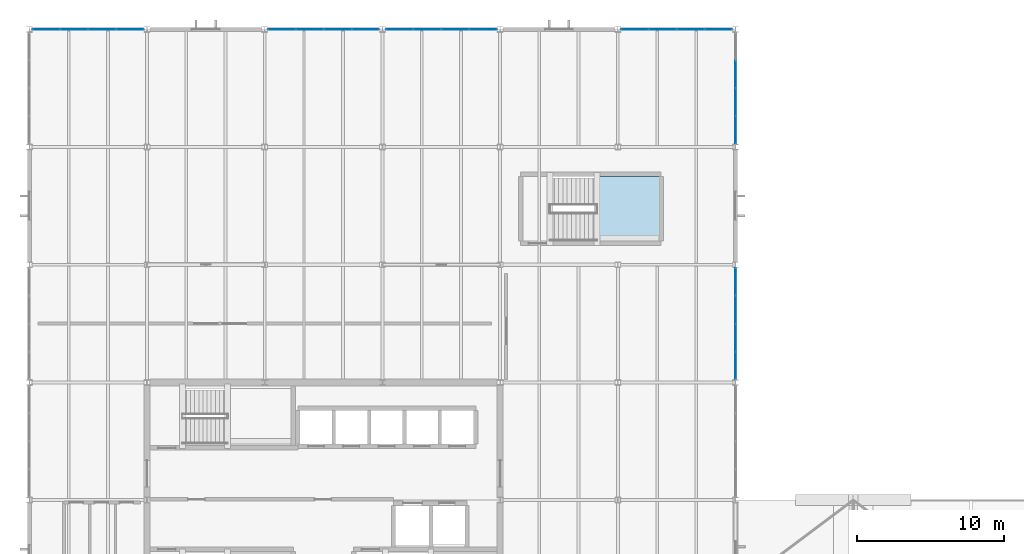
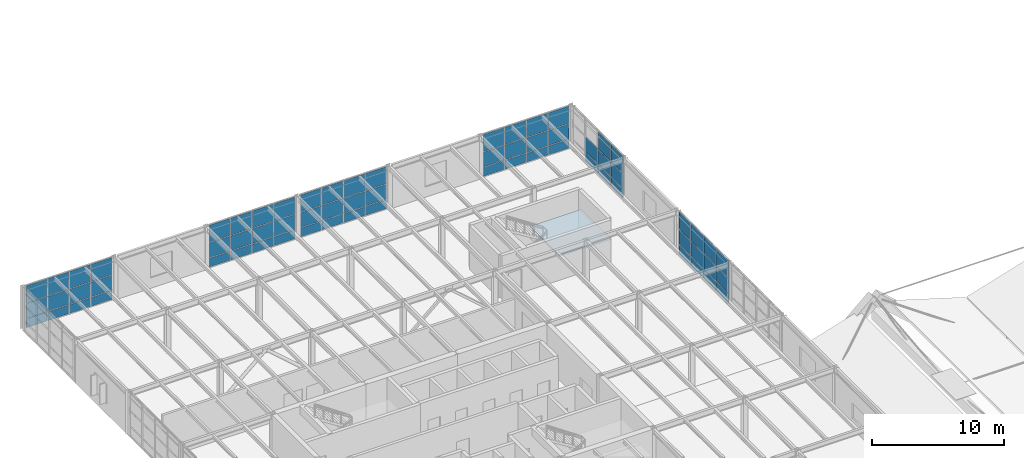
# One storey, part 33 of 50: 68 plates, 1 slab, 7 elements without a shape of their own.
"""IFC4 building model written with IfcOpenShell, lengths in metres."""

from ifc_helpers import new_model, si_unit, direction, frame, origin, origin_2d, place, context, subcontext, project, spatial, polyline, rectangle, outline, extrude, material, layer, layer_set, type_object, element, aggregate, save


model = new_model("IFC4")

# Units and contexts
model_context = context("Model", 3, precision=1e-05, world=origin(), true_north=direction((0.0, 1.0)))
body_context = subcontext(model_context, "Body", "Model", "MODEL_VIEW")
ifc_project = project(units=[si_unit("LENGTHUNIT", "METRE"), si_unit("AREAUNIT", "SQUARE_METRE"), si_unit("VOLUMEUNIT", "CUBIC_METRE"), si_unit("PLANEANGLEUNIT", "RADIAN"), si_unit("MASSUNIT", "GRAM", prefix="KILO")], contexts=[model_context])

# Site, building, storey
site_placement = place(None, origin())
site = spatial("IfcSite", under=ifc_project, at=site_placement, CompositionType="ELEMENT")
building_placement = place(site_placement, origin())
building = spatial("IfcBuilding", under=site, at=building_placement, Name="Varnela Railside Interchange", CompositionType="ELEMENT")
storey_placement = place(building_placement, frame((0.0, 0.0, 15.39990234375)))
storey = spatial("IfcBuildingStorey", under=building, at=storey_placement, Name="L03", CompositionType="ELEMENT", Elevation=15.39990234375)

# Curtain wall, plates
ifc_material_1 = material(Name="Aluminium 6063-T6", Category="aluminium")
ifc_layer_1 = layer(ifc_material_1, 0.035888671875)
ifc_layer_set_1 = layer_set([ifc_layer_1], Name="Aluminium 6063-T6")
curtain_wall_type = type_object("IfcCurtainWallType", Name="Operations Wing Facade Curtain Wall CW-03", PredefinedType="USERDEFINED", material=ifc_layer_set_1)
curtain_wall_1_placement = place(storey_placement, origin())
curtain_wall_1 = element("IfcCurtainWall", 1, at=curtain_wall_1_placement, inside=storey, type_object=curtain_wall_type, Name="Curtain Wall CW-03 (L03) (CW-080)", ObjectType="CURTAIN WALL", PredefinedType="USERDEFINED")
ifc_material_2 = material(Name="Glass laminated double", Category="glass")
ifc_layer_2 = layer(ifc_material_2, 0.0400390625)
ifc_layer_set_2 = layer_set([ifc_layer_2], Name="Glass laminated double")
plate_type = type_object("IfcPlateType", Name="Acoustic Laminated Vision GL-03", PredefinedType="CURTAIN_PANEL", material=ifc_layer_set_2)
plate_1_placement = place(storey_placement, frame((5.15478515625, 94.0, 0.06005859375), z_axis=(0.0, 0.0, 1.0), x_axis=(1.0, 0.0, 0.0)))
plate_1 = element("IfcPlate", 2, at=plate_1_placement, type_object=plate_type, Name="CW-03 panel 1.1", PredefinedType="CURTAIN_PANEL", context=body_context, shape_type="SweptSolid", body=[
    extrude(rectangle(XDim=1.816650390625, YDim=0.0400390625, at=origin_2d()), origin(), (0.0, 0.0, 1.0), 0.81005859375),
])
plate_2_placement = place(storey_placement, frame((5.15478515625, 94.0, 0.93017578125), z_axis=(0.0, 0.0, 1.0), x_axis=(1.0, 0.0, 0.0)))
plate_2 = element("IfcPlate", 3, at=plate_2_placement, type_object=plate_type, Name="CW-03 panel 1.2", PredefinedType="CURTAIN_PANEL", context=body_context, shape_type="SweptSolid", body=[
    extrude(rectangle(XDim=1.816650390625, YDim=0.0400390625, at=origin_2d()), origin(), (0.0, 0.0, 1.0), 1.360107421875),
])
plate_3_placement = place(storey_placement, frame((5.15478515625, 94.0, 2.35009765625), z_axis=(0.0, 0.0, 1.0), x_axis=(1.0, 0.0, 0.0)))
plate_3 = element("IfcPlate", 4, at=plate_3_placement, type_object=plate_type, Name="CW-03 panel 1.3", PredefinedType="CURTAIN_PANEL", context=body_context, shape_type="SweptSolid", body=[
    extrude(rectangle(XDim=1.816650390625, YDim=0.0400390625, at=origin_2d()), origin(), (0.0, 0.0, 1.0), 1.590087890625),
])
plate_4_placement = place(storey_placement, frame((7.046630859375, 94.0, 0.06005859375), z_axis=(0.0, 0.0, 1.0), x_axis=(1.0, 0.0, 0.0)))
plate_4 = element("IfcPlate", 5, at=plate_4_placement, type_object=plate_type, Name="CW-03 panel 2.1", PredefinedType="CURTAIN_PANEL", context=body_context, shape_type="SweptSolid", body=[
    extrude(rectangle(XDim=1.8466796875, YDim=0.0400390625, at=origin_2d()), origin(), (0.0, 0.0, 1.0), 0.81005859375),
])
plate_5_placement = place(storey_placement, frame((7.046630859375, 94.0, 0.93017578125), z_axis=(0.0, 0.0, 1.0), x_axis=(1.0, 0.0, 0.0)))
plate_5 = element("IfcPlate", 6, at=plate_5_placement, type_object=plate_type, Name="CW-03 panel 2.2", PredefinedType="CURTAIN_PANEL", context=body_context, shape_type="SweptSolid", body=[
    extrude(rectangle(XDim=1.8466796875, YDim=0.0400390625, at=origin_2d()), origin(), (0.0, 0.0, 1.0), 1.360107421875),
])
plate_6_placement = place(storey_placement, frame((7.046630859375, 94.0, 2.35009765625), z_axis=(0.0, 0.0, 1.0), x_axis=(1.0, 0.0, 0.0)))
plate_6 = element("IfcPlate", 7, at=plate_6_placement, type_object=plate_type, Name="CW-03 panel 2.3", PredefinedType="CURTAIN_PANEL", context=body_context, shape_type="SweptSolid", body=[
    extrude(rectangle(XDim=1.8466796875, YDim=0.0400390625, at=origin_2d()), origin(), (0.0, 0.0, 1.0), 1.590087890625),
])
plate_7_placement = place(storey_placement, frame((8.953369140625, 94.0, 0.06005859375), z_axis=(0.0, 0.0, 1.0), x_axis=(1.0, 0.0, 0.0)))
plate_7 = element("IfcPlate", 8, at=plate_7_placement, type_object=plate_type, Name="CW-03 panel 3.1", PredefinedType="CURTAIN_PANEL", context=body_context, shape_type="SweptSolid", body=[
    extrude(rectangle(XDim=1.8466796875, YDim=0.0400390625, at=origin_2d()), origin(), (0.0, 0.0, 1.0), 0.81005859375),
])
plate_8_placement = place(storey_placement, frame((8.953369140625, 94.0, 0.93017578125), z_axis=(0.0, 0.0, 1.0), x_axis=(1.0, 0.0, 0.0)))
plate_8 = element("IfcPlate", 9, at=plate_8_placement, type_object=plate_type, Name="CW-03 panel 3.2", PredefinedType="CURTAIN_PANEL", context=body_context, shape_type="SweptSolid", body=[
    extrude(rectangle(XDim=1.8466796875, YDim=0.0400390625, at=origin_2d()), origin(), (0.0, 0.0, 1.0), 1.360107421875),
])
plate_9_placement = place(storey_placement, frame((8.953369140625, 94.0, 2.35009765625), z_axis=(0.0, 0.0, 1.0), x_axis=(1.0, 0.0, 0.0)))
plate_9 = element("IfcPlate", 10, at=plate_9_placement, type_object=plate_type, Name="CW-03 panel 3.3", PredefinedType="CURTAIN_PANEL", context=body_context, shape_type="SweptSolid", body=[
    extrude(rectangle(XDim=1.8466796875, YDim=0.0400390625, at=origin_2d()), origin(), (0.0, 0.0, 1.0), 1.590087890625),
])
plate_10_placement = place(storey_placement, frame((10.84521484375, 94.0, 0.06005859375), z_axis=(0.0, 0.0, 1.0), x_axis=(1.0, 0.0, 0.0)))
plate_10 = element("IfcPlate", 11, at=plate_10_placement, type_object=plate_type, Name="CW-03 panel 4.1", PredefinedType="CURTAIN_PANEL", context=body_context, shape_type="SweptSolid", body=[
    extrude(rectangle(XDim=1.816650390625, YDim=0.0400390625, at=origin_2d()), origin(), (0.0, 0.0, 1.0), 0.81005859375),
])
plate_11_placement = place(storey_placement, frame((10.84521484375, 94.0, 0.93017578125), z_axis=(0.0, 0.0, 1.0), x_axis=(1.0, 0.0, 0.0)))
plate_11 = element("IfcPlate", 12, at=plate_11_placement, type_object=plate_type, Name="CW-03 panel 4.2", PredefinedType="CURTAIN_PANEL", context=body_context, shape_type="SweptSolid", body=[
    extrude(rectangle(XDim=1.816650390625, YDim=0.0400390625, at=origin_2d()), origin(), (0.0, 0.0, 1.0), 1.360107421875),
])
plate_12_placement = place(storey_placement, frame((10.84521484375, 94.0, 2.35009765625), z_axis=(0.0, 0.0, 1.0), x_axis=(1.0, 0.0, 0.0)))
plate_12 = element("IfcPlate", 13, at=plate_12_placement, type_object=plate_type, Name="CW-03 panel 4.3", PredefinedType="CURTAIN_PANEL", context=body_context, shape_type="SweptSolid", body=[
    extrude(rectangle(XDim=1.816650390625, YDim=0.0400390625, at=origin_2d()), origin(), (0.0, 0.0, 1.0), 1.590087890625),
])
aggregate(curtain_wall_1, [plate_1, plate_2, plate_3, plate_4, plate_5, plate_6, plate_7, plate_8, plate_9, plate_10, plate_11, plate_12])

curtain_wall_2_placement = place(storey_placement, origin())
curtain_wall_2 = element("IfcCurtainWall", 14, at=curtain_wall_2_placement, inside=storey, type_object=curtain_wall_type, Name="Curtain Wall CW-03 (L03) (CW-081)", ObjectType="CURTAIN WALL", PredefinedType="USERDEFINED")
plate_13_placement = place(storey_placement, frame((21.15478515625, 94.0, 0.06005859375), z_axis=(0.0, 0.0, 1.0), x_axis=(1.0, 0.0, 0.0)))
plate_13 = element("IfcPlate", 15, at=plate_13_placement, type_object=plate_type, Name="CW-03 panel 1.1", PredefinedType="CURTAIN_PANEL", context=body_context, shape_type="SweptSolid", body=[
    extrude(rectangle(XDim=1.816650390625, YDim=0.0400390625, at=origin_2d()), origin(), (0.0, 0.0, 1.0), 0.81005859375),
])
plate_14_placement = place(storey_placement, frame((21.15478515625, 94.0, 0.93017578125), z_axis=(0.0, 0.0, 1.0), x_axis=(1.0, 0.0, 0.0)))
plate_14 = element("IfcPlate", 16, at=plate_14_placement, type_object=plate_type, Name="CW-03 panel 1.2", PredefinedType="CURTAIN_PANEL", context=body_context, shape_type="SweptSolid", body=[
    extrude(rectangle(XDim=1.816650390625, YDim=0.0400390625, at=origin_2d()), origin(), (0.0, 0.0, 1.0), 1.360107421875),
])
plate_15_placement = place(storey_placement, frame((21.15478515625, 94.0, 2.35009765625), z_axis=(0.0, 0.0, 1.0), x_axis=(1.0, 0.0, 0.0)))
plate_15 = element("IfcPlate", 17, at=plate_15_placement, type_object=plate_type, Name="CW-03 panel 1.3", PredefinedType="CURTAIN_PANEL", context=body_context, shape_type="SweptSolid", body=[
    extrude(rectangle(XDim=1.816650390625, YDim=0.0400390625, at=origin_2d()), origin(), (0.0, 0.0, 1.0), 1.590087890625),
])
plate_16_placement = place(storey_placement, frame((23.046630859375, 94.0, 0.06005859375), z_axis=(0.0, 0.0, 1.0), x_axis=(1.0, 0.0, 0.0)))
plate_16 = element("IfcPlate", 18, at=plate_16_placement, type_object=plate_type, Name="CW-03 panel 2.1", PredefinedType="CURTAIN_PANEL", context=body_context, shape_type="SweptSolid", body=[
    extrude(rectangle(XDim=1.8466796875, YDim=0.0400390625, at=origin_2d()), origin(), (0.0, 0.0, 1.0), 0.81005859375),
])
plate_17_placement = place(storey_placement, frame((23.046630859375, 94.0, 0.93017578125), z_axis=(0.0, 0.0, 1.0), x_axis=(1.0, 0.0, 0.0)))
plate_17 = element("IfcPlate", 19, at=plate_17_placement, type_object=plate_type, Name="CW-03 panel 2.2", PredefinedType="CURTAIN_PANEL", context=body_context, shape_type="SweptSolid", body=[
    extrude(rectangle(XDim=1.8466796875, YDim=0.0400390625, at=origin_2d()), origin(), (0.0, 0.0, 1.0), 1.360107421875),
])
plate_18_placement = place(storey_placement, frame((23.046630859375, 94.0, 2.35009765625), z_axis=(0.0, 0.0, 1.0), x_axis=(1.0, 0.0, 0.0)))
plate_18 = element("IfcPlate", 20, at=plate_18_placement, type_object=plate_type, Name="CW-03 panel 2.3", PredefinedType="CURTAIN_PANEL", context=body_context, shape_type="SweptSolid", body=[
    extrude(rectangle(XDim=1.8466796875, YDim=0.0400390625, at=origin_2d()), origin(), (0.0, 0.0, 1.0), 1.590087890625),
])
plate_19_placement = place(storey_placement, frame((24.953369140625, 94.0, 0.06005859375), z_axis=(0.0, 0.0, 1.0), x_axis=(1.0, 0.0, 0.0)))
plate_19 = element("IfcPlate", 21, at=plate_19_placement, type_object=plate_type, Name="CW-03 panel 3.1", PredefinedType="CURTAIN_PANEL", context=body_context, shape_type="SweptSolid", body=[
    extrude(rectangle(XDim=1.8466796875, YDim=0.0400390625, at=origin_2d()), origin(), (0.0, 0.0, 1.0), 0.81005859375),
])
plate_20_placement = place(storey_placement, frame((24.953369140625, 94.0, 0.93017578125), z_axis=(0.0, 0.0, 1.0), x_axis=(1.0, 0.0, 0.0)))
plate_20 = element("IfcPlate", 22, at=plate_20_placement, type_object=plate_type, Name="CW-03 panel 3.2", PredefinedType="CURTAIN_PANEL", context=body_context, shape_type="SweptSolid", body=[
    extrude(rectangle(XDim=1.8466796875, YDim=0.0400390625, at=origin_2d()), origin(), (0.0, 0.0, 1.0), 1.360107421875),
])
plate_21_placement = place(storey_placement, frame((24.953369140625, 94.0, 2.35009765625), z_axis=(0.0, 0.0, 1.0), x_axis=(1.0, 0.0, 0.0)))
plate_21 = element("IfcPlate", 23, at=plate_21_placement, type_object=plate_type, Name="CW-03 panel 3.3", PredefinedType="CURTAIN_PANEL", context=body_context, shape_type="SweptSolid", body=[
    extrude(rectangle(XDim=1.8466796875, YDim=0.0400390625, at=origin_2d()), origin(), (0.0, 0.0, 1.0), 1.590087890625),
])
plate_22_placement = place(storey_placement, frame((26.84521484375, 94.0, 0.06005859375), z_axis=(0.0, 0.0, 1.0), x_axis=(1.0, 0.0, 0.0)))
plate_22 = element("IfcPlate", 24, at=plate_22_placement, type_object=plate_type, Name="CW-03 panel 4.1", PredefinedType="CURTAIN_PANEL", context=body_context, shape_type="SweptSolid", body=[
    extrude(rectangle(XDim=1.816650390625, YDim=0.0400390625, at=origin_2d()), origin(), (0.0, 0.0, 1.0), 0.81005859375),
])
plate_23_placement = place(storey_placement, frame((26.84521484375, 94.0, 0.93017578125), z_axis=(0.0, 0.0, 1.0), x_axis=(1.0, 0.0, 0.0)))
plate_23 = element("IfcPlate", 25, at=plate_23_placement, type_object=plate_type, Name="CW-03 panel 4.2", PredefinedType="CURTAIN_PANEL", context=body_context, shape_type="SweptSolid", body=[
    extrude(rectangle(XDim=1.816650390625, YDim=0.0400390625, at=origin_2d()), origin(), (0.0, 0.0, 1.0), 1.360107421875),
])
plate_24_placement = place(storey_placement, frame((26.84521484375, 94.0, 2.35009765625), z_axis=(0.0, 0.0, 1.0), x_axis=(1.0, 0.0, 0.0)))
plate_24 = element("IfcPlate", 26, at=plate_24_placement, type_object=plate_type, Name="CW-03 panel 4.3", PredefinedType="CURTAIN_PANEL", context=body_context, shape_type="SweptSolid", body=[
    extrude(rectangle(XDim=1.816650390625, YDim=0.0400390625, at=origin_2d()), origin(), (0.0, 0.0, 1.0), 1.590087890625),
])
aggregate(curtain_wall_2, [plate_13, plate_14, plate_15, plate_16, plate_17, plate_18, plate_19, plate_20, plate_21, plate_22, plate_23, plate_24])

curtain_wall_3_placement = place(storey_placement, origin())
curtain_wall_3 = element("IfcCurtainWall", 27, at=curtain_wall_3_placement, inside=storey, type_object=curtain_wall_type, Name="Curtain Wall CW-03 (L03) (CW-082)", ObjectType="CURTAIN WALL", PredefinedType="USERDEFINED")
plate_25_placement = place(storey_placement, frame((29.15478515625, 94.0, 0.06005859375), z_axis=(0.0, 0.0, 1.0), x_axis=(1.0, 0.0, 0.0)))
plate_25 = element("IfcPlate", 28, at=plate_25_placement, type_object=plate_type, Name="CW-03 panel 1.1", PredefinedType="CURTAIN_PANEL", context=body_context, shape_type="SweptSolid", body=[
    extrude(rectangle(XDim=1.816650390625, YDim=0.0400390625, at=origin_2d()), origin(), (0.0, 0.0, 1.0), 0.81005859375),
])
plate_26_placement = place(storey_placement, frame((29.15478515625, 94.0, 0.93017578125), z_axis=(0.0, 0.0, 1.0), x_axis=(1.0, 0.0, 0.0)))
plate_26 = element("IfcPlate", 29, at=plate_26_placement, type_object=plate_type, Name="CW-03 panel 1.2", PredefinedType="CURTAIN_PANEL", context=body_context, shape_type="SweptSolid", body=[
    extrude(rectangle(XDim=1.816650390625, YDim=0.0400390625, at=origin_2d()), origin(), (0.0, 0.0, 1.0), 1.360107421875),
])
plate_27_placement = place(storey_placement, frame((29.15478515625, 94.0, 2.35009765625), z_axis=(0.0, 0.0, 1.0), x_axis=(1.0, 0.0, 0.0)))
plate_27 = element("IfcPlate", 30, at=plate_27_placement, type_object=plate_type, Name="CW-03 panel 1.3", PredefinedType="CURTAIN_PANEL", context=body_context, shape_type="SweptSolid", body=[
    extrude(rectangle(XDim=1.816650390625, YDim=0.0400390625, at=origin_2d()), origin(), (0.0, 0.0, 1.0), 1.590087890625),
])
plate_28_placement = place(storey_placement, frame((31.046630859375, 94.0, 0.06005859375), z_axis=(0.0, 0.0, 1.0), x_axis=(1.0, 0.0, 0.0)))
plate_28 = element("IfcPlate", 31, at=plate_28_placement, type_object=plate_type, Name="CW-03 panel 2.1", PredefinedType="CURTAIN_PANEL", context=body_context, shape_type="SweptSolid", body=[
    extrude(rectangle(XDim=1.8466796875, YDim=0.0400390625, at=origin_2d()), origin(), (0.0, 0.0, 1.0), 0.81005859375),
])
plate_29_placement = place(storey_placement, frame((31.046630859375, 94.0, 0.93017578125), z_axis=(0.0, 0.0, 1.0), x_axis=(1.0, 0.0, 0.0)))
plate_29 = element("IfcPlate", 32, at=plate_29_placement, type_object=plate_type, Name="CW-03 panel 2.2", PredefinedType="CURTAIN_PANEL", context=body_context, shape_type="SweptSolid", body=[
    extrude(rectangle(XDim=1.8466796875, YDim=0.0400390625, at=origin_2d()), origin(), (0.0, 0.0, 1.0), 1.360107421875),
])
plate_30_placement = place(storey_placement, frame((31.046630859375, 94.0, 2.35009765625), z_axis=(0.0, 0.0, 1.0), x_axis=(1.0, 0.0, 0.0)))
plate_30 = element("IfcPlate", 33, at=plate_30_placement, type_object=plate_type, Name="CW-03 panel 2.3", PredefinedType="CURTAIN_PANEL", context=body_context, shape_type="SweptSolid", body=[
    extrude(rectangle(XDim=1.8466796875, YDim=0.0400390625, at=origin_2d()), origin(), (0.0, 0.0, 1.0), 1.590087890625),
])
plate_31_placement = place(storey_placement, frame((32.953369140625, 94.0, 0.06005859375), z_axis=(0.0, 0.0, 1.0), x_axis=(1.0, 0.0, 0.0)))
plate_31 = element("IfcPlate", 34, at=plate_31_placement, type_object=plate_type, Name="CW-03 panel 3.1", PredefinedType="CURTAIN_PANEL", context=body_context, shape_type="SweptSolid", body=[
    extrude(rectangle(XDim=1.8466796875, YDim=0.0400390625, at=origin_2d()), origin(), (0.0, 0.0, 1.0), 0.81005859375),
])
plate_32_placement = place(storey_placement, frame((32.953369140625, 94.0, 0.93017578125), z_axis=(0.0, 0.0, 1.0), x_axis=(1.0, 0.0, 0.0)))
plate_32 = element("IfcPlate", 35, at=plate_32_placement, type_object=plate_type, Name="CW-03 panel 3.2", PredefinedType="CURTAIN_PANEL", context=body_context, shape_type="SweptSolid", body=[
    extrude(rectangle(XDim=1.8466796875, YDim=0.0400390625, at=origin_2d()), origin(), (0.0, 0.0, 1.0), 1.360107421875),
])
plate_33_placement = place(storey_placement, frame((32.953369140625, 94.0, 2.35009765625), z_axis=(0.0, 0.0, 1.0), x_axis=(1.0, 0.0, 0.0)))
plate_33 = element("IfcPlate", 36, at=plate_33_placement, type_object=plate_type, Name="CW-03 panel 3.3", PredefinedType="CURTAIN_PANEL", context=body_context, shape_type="SweptSolid", body=[
    extrude(rectangle(XDim=1.8466796875, YDim=0.0400390625, at=origin_2d()), origin(), (0.0, 0.0, 1.0), 1.590087890625),
])
plate_34_placement = place(storey_placement, frame((34.84521484375, 94.0, 0.06005859375), z_axis=(0.0, 0.0, 1.0), x_axis=(1.0, 0.0, 0.0)))
plate_34 = element("IfcPlate", 37, at=plate_34_placement, type_object=plate_type, Name="CW-03 panel 4.1", PredefinedType="CURTAIN_PANEL", context=body_context, shape_type="SweptSolid", body=[
    extrude(rectangle(XDim=1.816650390625, YDim=0.0400390625, at=origin_2d()), origin(), (0.0, 0.0, 1.0), 0.81005859375),
])
plate_35_placement = place(storey_placement, frame((34.84521484375, 94.0, 0.93017578125), z_axis=(0.0, 0.0, 1.0), x_axis=(1.0, 0.0, 0.0)))
plate_35 = element("IfcPlate", 38, at=plate_35_placement, type_object=plate_type, Name="CW-03 panel 4.2", PredefinedType="CURTAIN_PANEL", context=body_context, shape_type="SweptSolid", body=[
    extrude(rectangle(XDim=1.816650390625, YDim=0.0400390625, at=origin_2d()), origin(), (0.0, 0.0, 1.0), 1.360107421875),
])
plate_36_placement = place(storey_placement, frame((34.84521484375, 94.0, 2.35009765625), z_axis=(0.0, 0.0, 1.0), x_axis=(1.0, 0.0, 0.0)))
plate_36 = element("IfcPlate", 39, at=plate_36_placement, type_object=plate_type, Name="CW-03 panel 4.3", PredefinedType="CURTAIN_PANEL", context=body_context, shape_type="SweptSolid", body=[
    extrude(rectangle(XDim=1.816650390625, YDim=0.0400390625, at=origin_2d()), origin(), (0.0, 0.0, 1.0), 1.590087890625),
])
aggregate(curtain_wall_3, [plate_25, plate_26, plate_27, plate_28, plate_29, plate_30, plate_31, plate_32, plate_33, plate_34, plate_35, plate_36])

curtain_wall_4_placement = place(storey_placement, origin())
curtain_wall_4 = element("IfcCurtainWall", 40, at=curtain_wall_4_placement, inside=storey, type_object=curtain_wall_type, Name="Curtain Wall CW-03 (L03) (CW-083)", ObjectType="CURTAIN WALL", PredefinedType="USERDEFINED")
plate_37_placement = place(storey_placement, frame((45.15478515625, 94.0, 0.06005859375), z_axis=(0.0, 0.0, 1.0), x_axis=(1.0, 0.0, 0.0)))
plate_37 = element("IfcPlate", 41, at=plate_37_placement, type_object=plate_type, Name="CW-03 panel 1.1", PredefinedType="CURTAIN_PANEL", context=body_context, shape_type="SweptSolid", body=[
    extrude(rectangle(XDim=1.816650390625, YDim=0.0400390625, at=origin_2d()), origin(), (0.0, 0.0, 1.0), 0.81005859375),
])
plate_38_placement = place(storey_placement, frame((45.15478515625, 94.0, 0.93017578125), z_axis=(0.0, 0.0, 1.0), x_axis=(1.0, 0.0, 0.0)))
plate_38 = element("IfcPlate", 42, at=plate_38_placement, type_object=plate_type, Name="CW-03 panel 1.2", PredefinedType="CURTAIN_PANEL", context=body_context, shape_type="SweptSolid", body=[
    extrude(rectangle(XDim=1.816650390625, YDim=0.0400390625, at=origin_2d()), origin(), (0.0, 0.0, 1.0), 1.360107421875),
])
plate_39_placement = place(storey_placement, frame((45.15478515625, 94.0, 2.35009765625), z_axis=(0.0, 0.0, 1.0), x_axis=(1.0, 0.0, 0.0)))
plate_39 = element("IfcPlate", 43, at=plate_39_placement, type_object=plate_type, Name="CW-03 panel 1.3", PredefinedType="CURTAIN_PANEL", context=body_context, shape_type="SweptSolid", body=[
    extrude(rectangle(XDim=1.816650390625, YDim=0.0400390625, at=origin_2d()), origin(), (0.0, 0.0, 1.0), 1.590087890625),
])
plate_40_placement = place(storey_placement, frame((47.046630859375, 94.0, 0.06005859375), z_axis=(0.0, 0.0, 1.0), x_axis=(1.0, 0.0, 0.0)))
plate_40 = element("IfcPlate", 44, at=plate_40_placement, type_object=plate_type, Name="CW-03 panel 2.1", PredefinedType="CURTAIN_PANEL", context=body_context, shape_type="SweptSolid", body=[
    extrude(rectangle(XDim=1.8466796875, YDim=0.0400390625, at=origin_2d()), origin(), (0.0, 0.0, 1.0), 0.81005859375),
])
plate_41_placement = place(storey_placement, frame((47.046630859375, 94.0, 0.93017578125), z_axis=(0.0, 0.0, 1.0), x_axis=(1.0, 0.0, 0.0)))
plate_41 = element("IfcPlate", 45, at=plate_41_placement, type_object=plate_type, Name="CW-03 panel 2.2", PredefinedType="CURTAIN_PANEL", context=body_context, shape_type="SweptSolid", body=[
    extrude(rectangle(XDim=1.8466796875, YDim=0.0400390625, at=origin_2d()), origin(), (0.0, 0.0, 1.0), 1.360107421875),
])
plate_42_placement = place(storey_placement, frame((47.046630859375, 94.0, 2.35009765625), z_axis=(0.0, 0.0, 1.0), x_axis=(1.0, 0.0, 0.0)))
plate_42 = element("IfcPlate", 46, at=plate_42_placement, type_object=plate_type, Name="CW-03 panel 2.3", PredefinedType="CURTAIN_PANEL", context=body_context, shape_type="SweptSolid", body=[
    extrude(rectangle(XDim=1.8466796875, YDim=0.0400390625, at=origin_2d()), origin(), (0.0, 0.0, 1.0), 1.590087890625),
])
plate_43_placement = place(storey_placement, frame((48.953369140625, 94.0, 0.06005859375), z_axis=(0.0, 0.0, 1.0), x_axis=(1.0, 0.0, 0.0)))
plate_43 = element("IfcPlate", 47, at=plate_43_placement, type_object=plate_type, Name="CW-03 panel 3.1", PredefinedType="CURTAIN_PANEL", context=body_context, shape_type="SweptSolid", body=[
    extrude(rectangle(XDim=1.8466796875, YDim=0.0400390625, at=origin_2d()), origin(), (0.0, 0.0, 1.0), 0.81005859375),
])
plate_44_placement = place(storey_placement, frame((48.953369140625, 94.0, 0.93017578125), z_axis=(0.0, 0.0, 1.0), x_axis=(1.0, 0.0, 0.0)))
plate_44 = element("IfcPlate", 48, at=plate_44_placement, type_object=plate_type, Name="CW-03 panel 3.2", PredefinedType="CURTAIN_PANEL", context=body_context, shape_type="SweptSolid", body=[
    extrude(rectangle(XDim=1.8466796875, YDim=0.0400390625, at=origin_2d()), origin(), (0.0, 0.0, 1.0), 1.360107421875),
])
plate_45_placement = place(storey_placement, frame((48.953369140625, 94.0, 2.35009765625), z_axis=(0.0, 0.0, 1.0), x_axis=(1.0, 0.0, 0.0)))
plate_45 = element("IfcPlate", 49, at=plate_45_placement, type_object=plate_type, Name="CW-03 panel 3.3", PredefinedType="CURTAIN_PANEL", context=body_context, shape_type="SweptSolid", body=[
    extrude(rectangle(XDim=1.8466796875, YDim=0.0400390625, at=origin_2d()), origin(), (0.0, 0.0, 1.0), 1.590087890625),
])
plate_46_placement = place(storey_placement, frame((50.84521484375, 94.0, 0.06005859375), z_axis=(0.0, 0.0, 1.0), x_axis=(1.0, 0.0, 0.0)))
plate_46 = element("IfcPlate", 50, at=plate_46_placement, type_object=plate_type, Name="CW-03 panel 4.1", PredefinedType="CURTAIN_PANEL", context=body_context, shape_type="SweptSolid", body=[
    extrude(rectangle(XDim=1.816650390625, YDim=0.0400390625, at=origin_2d()), origin(), (0.0, 0.0, 1.0), 0.81005859375),
])
plate_47_placement = place(storey_placement, frame((50.84521484375, 94.0, 0.93017578125), z_axis=(0.0, 0.0, 1.0), x_axis=(1.0, 0.0, 0.0)))
plate_47 = element("IfcPlate", 51, at=plate_47_placement, type_object=plate_type, Name="CW-03 panel 4.2", PredefinedType="CURTAIN_PANEL", context=body_context, shape_type="SweptSolid", body=[
    extrude(rectangle(XDim=1.816650390625, YDim=0.0400390625, at=origin_2d()), origin(), (0.0, 0.0, 1.0), 1.360107421875),
])
plate_48_placement = place(storey_placement, frame((50.84521484375, 94.0, 2.35009765625), z_axis=(0.0, 0.0, 1.0), x_axis=(1.0, 0.0, 0.0)))
plate_48 = element("IfcPlate", 52, at=plate_48_placement, type_object=plate_type, Name="CW-03 panel 4.3", PredefinedType="CURTAIN_PANEL", context=body_context, shape_type="SweptSolid", body=[
    extrude(rectangle(XDim=1.816650390625, YDim=0.0400390625, at=origin_2d()), origin(), (0.0, 0.0, 1.0), 1.590087890625),
])
aggregate(curtain_wall_4, [plate_37, plate_38, plate_39, plate_40, plate_41, plate_42, plate_43, plate_44, plate_45, plate_46, plate_47, plate_48])

curtain_wall_5_placement = place(storey_placement, origin())
curtain_wall_5 = element("IfcCurtainWall", 53, at=curtain_wall_5_placement, inside=storey, type_object=curtain_wall_type, Name="Curtain Wall CW-03 (L03) (CW-085)", ObjectType="CURTAIN WALL", PredefinedType="USERDEFINED")
plate_49_placement = place(storey_placement, frame((52.0, 90.9541015625, 0.06005859375), z_axis=(0.0, 0.0, 1.0), x_axis=(0.0, -1.0, 0.0)))
plate_49 = element("IfcPlate", 54, at=plate_49_placement, type_object=plate_type, Name="CW-03 panel 2.1", PredefinedType="CURTAIN_PANEL", context=body_context, shape_type="SweptSolid", body=[
    extrude(rectangle(XDim=1.847900390625, YDim=0.0400390625, at=origin_2d()), origin(), (0.0, 0.0, 1.0), 0.81005859375),
])
plate_50_placement = place(storey_placement, frame((52.0, 90.9541015625, 0.93017578125), z_axis=(0.0, 0.0, 1.0), x_axis=(0.0, -1.0, 0.0)))
plate_50 = element("IfcPlate", 55, at=plate_50_placement, type_object=plate_type, Name="CW-03 panel 2.2", PredefinedType="CURTAIN_PANEL", context=body_context, shape_type="SweptSolid", body=[
    extrude(rectangle(XDim=1.847900390625, YDim=0.0400390625, at=origin_2d()), origin(), (0.0, 0.0, 1.0), 1.360107421875),
])
plate_51_placement = place(storey_placement, frame((52.0, 89.0458984375, 0.06005859375), z_axis=(0.0, 0.0, 1.0), x_axis=(0.0, -1.0, 0.0)))
plate_51 = element("IfcPlate", 56, at=plate_51_placement, type_object=plate_type, Name="CW-03 panel 3.1", PredefinedType="CURTAIN_PANEL", context=body_context, shape_type="SweptSolid", body=[
    extrude(rectangle(XDim=1.847900390625, YDim=0.0400390625, at=origin_2d()), origin(), (0.0, 0.0, 1.0), 0.81005859375),
])
plate_52_placement = place(storey_placement, frame((52.0, 89.0458984375, 0.93017578125), z_axis=(0.0, 0.0, 1.0), x_axis=(0.0, -1.0, 0.0)))
plate_52 = element("IfcPlate", 57, at=plate_52_placement, type_object=plate_type, Name="CW-03 panel 3.2", PredefinedType="CURTAIN_PANEL", context=body_context, shape_type="SweptSolid", body=[
    extrude(rectangle(XDim=1.847900390625, YDim=0.0400390625, at=origin_2d()), origin(), (0.0, 0.0, 1.0), 1.360107421875),
])
plate_53_placement = place(storey_placement, frame((52.0, 89.0458984375, 2.35009765625), z_axis=(0.0, 0.0, 1.0), x_axis=(0.0, -1.0, 0.0)))
plate_53 = element("IfcPlate", 58, at=plate_53_placement, type_object=plate_type, Name="CW-03 panel 3.3", PredefinedType="CURTAIN_PANEL", context=body_context, shape_type="SweptSolid", body=[
    extrude(rectangle(XDim=1.847900390625, YDim=0.0400390625, at=origin_2d()), origin(), (0.0, 0.0, 1.0), 1.590087890625),
])
plate_54_placement = place(storey_placement, frame((52.0, 87.153076171875, 0.06005859375), z_axis=(0.0, 0.0, 1.0), x_axis=(0.0, -1.0, 0.0)))
plate_54 = element("IfcPlate", 59, at=plate_54_placement, type_object=plate_type, Name="CW-03 panel 4.1", PredefinedType="CURTAIN_PANEL", context=body_context, shape_type="SweptSolid", body=[
    extrude(rectangle(XDim=1.818115234375, YDim=0.0400390625, at=origin_2d()), origin(), (0.0, 0.0, 1.0), 0.81005859375),
])
plate_55_placement = place(storey_placement, frame((52.0, 87.153076171875, 0.93017578125), z_axis=(0.0, 0.0, 1.0), x_axis=(0.0, -1.0, 0.0)))
plate_55 = element("IfcPlate", 60, at=plate_55_placement, type_object=plate_type, Name="CW-03 panel 4.2", PredefinedType="CURTAIN_PANEL", context=body_context, shape_type="SweptSolid", body=[
    extrude(rectangle(XDim=1.818115234375, YDim=0.0400390625, at=origin_2d()), origin(), (0.0, 0.0, 1.0), 1.360107421875),
])
plate_56_placement = place(storey_placement, frame((52.0, 87.153076171875, 2.35009765625), z_axis=(0.0, 0.0, 1.0), x_axis=(0.0, -1.0, 0.0)))
plate_56 = element("IfcPlate", 61, at=plate_56_placement, type_object=plate_type, Name="CW-03 panel 4.3", PredefinedType="CURTAIN_PANEL", context=body_context, shape_type="SweptSolid", body=[
    extrude(rectangle(XDim=1.818115234375, YDim=0.0400390625, at=origin_2d()), origin(), (0.0, 0.0, 1.0), 1.590087890625),
])
aggregate(curtain_wall_5, [plate_49, plate_50, plate_51, plate_52, plate_53, plate_54, plate_55, plate_56])

curtain_wall_6_placement = place(storey_placement, origin())
curtain_wall_6 = element("IfcCurtainWall", 62, at=curtain_wall_6_placement, inside=storey, type_object=curtain_wall_type, Name="Curtain Wall CW-03 (L03) (CW-086)", ObjectType="CURTAIN WALL", PredefinedType="USERDEFINED")
plate_57_placement = place(storey_placement, frame((52.0, 76.846923828125, 0.06005859375), z_axis=(0.0, 0.0, 1.0), x_axis=(0.0, -1.0, 0.0)))
plate_57 = element("IfcPlate", 63, at=plate_57_placement, type_object=plate_type, Name="CW-03 panel 1.1", PredefinedType="CURTAIN_PANEL", context=body_context, shape_type="SweptSolid", body=[
    extrude(rectangle(XDim=1.818115234375, YDim=0.0400390625, at=origin_2d()), origin(), (0.0, 0.0, 1.0), 0.81005859375),
])
plate_58_placement = place(storey_placement, frame((52.0, 76.846923828125, 0.93017578125), z_axis=(0.0, 0.0, 1.0), x_axis=(0.0, -1.0, 0.0)))
plate_58 = element("IfcPlate", 64, at=plate_58_placement, type_object=plate_type, Name="CW-03 panel 1.2", PredefinedType="CURTAIN_PANEL", context=body_context, shape_type="SweptSolid", body=[
    extrude(rectangle(XDim=1.818115234375, YDim=0.0400390625, at=origin_2d()), origin(), (0.0, 0.0, 1.0), 1.360107421875),
])
plate_59_placement = place(storey_placement, frame((52.0, 76.846923828125, 2.35009765625), z_axis=(0.0, 0.0, 1.0), x_axis=(0.0, -1.0, 0.0)))
plate_59 = element("IfcPlate", 65, at=plate_59_placement, type_object=plate_type, Name="CW-03 panel 1.3", PredefinedType="CURTAIN_PANEL", context=body_context, shape_type="SweptSolid", body=[
    extrude(rectangle(XDim=1.818115234375, YDim=0.0400390625, at=origin_2d()), origin(), (0.0, 0.0, 1.0), 1.590087890625),
])
plate_60_placement = place(storey_placement, frame((52.0, 74.9541015625, 0.06005859375), z_axis=(0.0, 0.0, 1.0), x_axis=(0.0, -1.0, 0.0)))
plate_60 = element("IfcPlate", 66, at=plate_60_placement, type_object=plate_type, Name="CW-03 panel 2.1", PredefinedType="CURTAIN_PANEL", context=body_context, shape_type="SweptSolid", body=[
    extrude(rectangle(XDim=1.847900390625, YDim=0.0400390625, at=origin_2d()), origin(), (0.0, 0.0, 1.0), 0.81005859375),
])
plate_61_placement = place(storey_placement, frame((52.0, 74.9541015625, 0.93017578125), z_axis=(0.0, 0.0, 1.0), x_axis=(0.0, -1.0, 0.0)))
plate_61 = element("IfcPlate", 67, at=plate_61_placement, type_object=plate_type, Name="CW-03 panel 2.2", PredefinedType="CURTAIN_PANEL", context=body_context, shape_type="SweptSolid", body=[
    extrude(rectangle(XDim=1.847900390625, YDim=0.0400390625, at=origin_2d()), origin(), (0.0, 0.0, 1.0), 1.360107421875),
])
plate_62_placement = place(storey_placement, frame((52.0, 74.9541015625, 2.35009765625), z_axis=(0.0, 0.0, 1.0), x_axis=(0.0, -1.0, 0.0)))
plate_62 = element("IfcPlate", 68, at=plate_62_placement, type_object=plate_type, Name="CW-03 panel 2.3", PredefinedType="CURTAIN_PANEL", context=body_context, shape_type="SweptSolid", body=[
    extrude(rectangle(XDim=1.847900390625, YDim=0.0400390625, at=origin_2d()), origin(), (0.0, 0.0, 1.0), 1.590087890625),
])
plate_63_placement = place(storey_placement, frame((52.0, 73.0458984375, 0.06005859375), z_axis=(0.0, 0.0, 1.0), x_axis=(0.0, -1.0, 0.0)))
plate_63 = element("IfcPlate", 69, at=plate_63_placement, type_object=plate_type, Name="CW-03 panel 3.1", PredefinedType="CURTAIN_PANEL", context=body_context, shape_type="SweptSolid", body=[
    extrude(rectangle(XDim=1.847900390625, YDim=0.0400390625, at=origin_2d()), origin(), (0.0, 0.0, 1.0), 0.81005859375),
])
plate_64_placement = place(storey_placement, frame((52.0, 73.0458984375, 0.93017578125), z_axis=(0.0, 0.0, 1.0), x_axis=(0.0, -1.0, 0.0)))
plate_64 = element("IfcPlate", 70, at=plate_64_placement, type_object=plate_type, Name="CW-03 panel 3.2", PredefinedType="CURTAIN_PANEL", context=body_context, shape_type="SweptSolid", body=[
    extrude(rectangle(XDim=1.847900390625, YDim=0.0400390625, at=origin_2d()), origin(), (0.0, 0.0, 1.0), 1.360107421875),
])
plate_65_placement = place(storey_placement, frame((52.0, 73.0458984375, 2.35009765625), z_axis=(0.0, 0.0, 1.0), x_axis=(0.0, -1.0, 0.0)))
plate_65 = element("IfcPlate", 71, at=plate_65_placement, type_object=plate_type, Name="CW-03 panel 3.3", PredefinedType="CURTAIN_PANEL", context=body_context, shape_type="SweptSolid", body=[
    extrude(rectangle(XDim=1.847900390625, YDim=0.0400390625, at=origin_2d()), origin(), (0.0, 0.0, 1.0), 1.590087890625),
])
plate_66_placement = place(storey_placement, frame((52.0, 71.153076171875, 0.06005859375), z_axis=(0.0, 0.0, 1.0), x_axis=(0.0, -1.0, 0.0)))
plate_66 = element("IfcPlate", 72, at=plate_66_placement, type_object=plate_type, Name="CW-03 panel 4.1", PredefinedType="CURTAIN_PANEL", context=body_context, shape_type="SweptSolid", body=[
    extrude(rectangle(XDim=1.818115234375, YDim=0.0400390625, at=origin_2d()), origin(), (0.0, 0.0, 1.0), 0.81005859375),
])
plate_67_placement = place(storey_placement, frame((52.0, 71.153076171875, 0.93017578125), z_axis=(0.0, 0.0, 1.0), x_axis=(0.0, -1.0, 0.0)))
plate_67 = element("IfcPlate", 73, at=plate_67_placement, type_object=plate_type, Name="CW-03 panel 4.2", PredefinedType="CURTAIN_PANEL", context=body_context, shape_type="SweptSolid", body=[
    extrude(rectangle(XDim=1.818115234375, YDim=0.0400390625, at=origin_2d()), origin(), (0.0, 0.0, 1.0), 1.360107421875),
])
plate_68_placement = place(storey_placement, frame((52.0, 71.153076171875, 2.35009765625), z_axis=(0.0, 0.0, 1.0), x_axis=(0.0, -1.0, 0.0)))
plate_68 = element("IfcPlate", 74, at=plate_68_placement, type_object=plate_type, Name="CW-03 panel 4.3", PredefinedType="CURTAIN_PANEL", context=body_context, shape_type="SweptSolid", body=[
    extrude(rectangle(XDim=1.818115234375, YDim=0.0400390625, at=origin_2d()), origin(), (0.0, 0.0, 1.0), 1.590087890625),
])
aggregate(curtain_wall_6, [plate_57, plate_58, plate_59, plate_60, plate_61, plate_62, plate_63, plate_64, plate_65, plate_66, plate_67, plate_68])

# Stair, slab
ifc_material_3 = material(Name="Concrete C40", Category="concrete")
stair_type = type_object("IfcStairType", Name="Study Pavilion Stair ST-180", PredefinedType="TWO_STRAIGHT_RUN_STAIR", material=ifc_material_3)
stair_placement = place(storey_placement, origin())
stair = element("IfcStair", 75, at=stair_placement, inside=storey, type_object=stair_type, Name="Stair ST-W1 (L03) (SF-190)", PredefinedType="TWO_STRAIGHT_RUN_STAIR")
ifc_layer_3 = layer(ifc_material_3, 0.159912109375)
ifc_layer_set_3 = layer_set([ifc_layer_3], Name="Concrete C40")
slab_type = type_object("IfcSlabType", Name="Stair Half-Landing Slab SL-LD", PredefinedType="LANDING", material=ifc_layer_set_3)
slab_placement = place(storey_placement, frame((0.0, 0.0, 1.940185546875)))
slab = element("IfcSlab", 76, at=slab_placement, type_object=slab_type, Name="ST-W1 landing 1 (SL-0179)", PredefinedType="LANDING", context=body_context, shape_type="SweptSolid", body=[
    extrude(outline(polyline([(42.56005859375, 79.60009765625), (47.06005859375, 79.60009765625), (47.06005859375, 84.0), (42.56005859375, 84.0), (42.56005859375, 79.60009765625)])), origin(), (0.0, 0.0, 1.0), 0.159912109375),
])
aggregate(stair, [slab])

save(model, "model.ifc")
